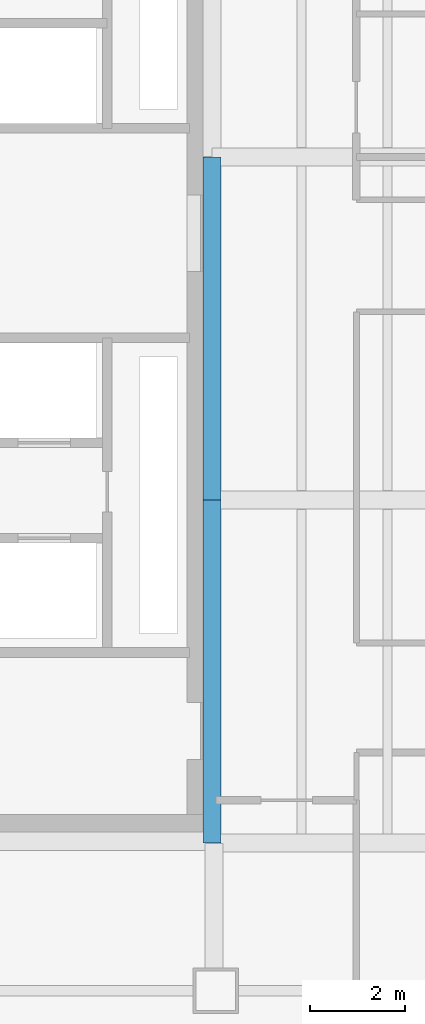
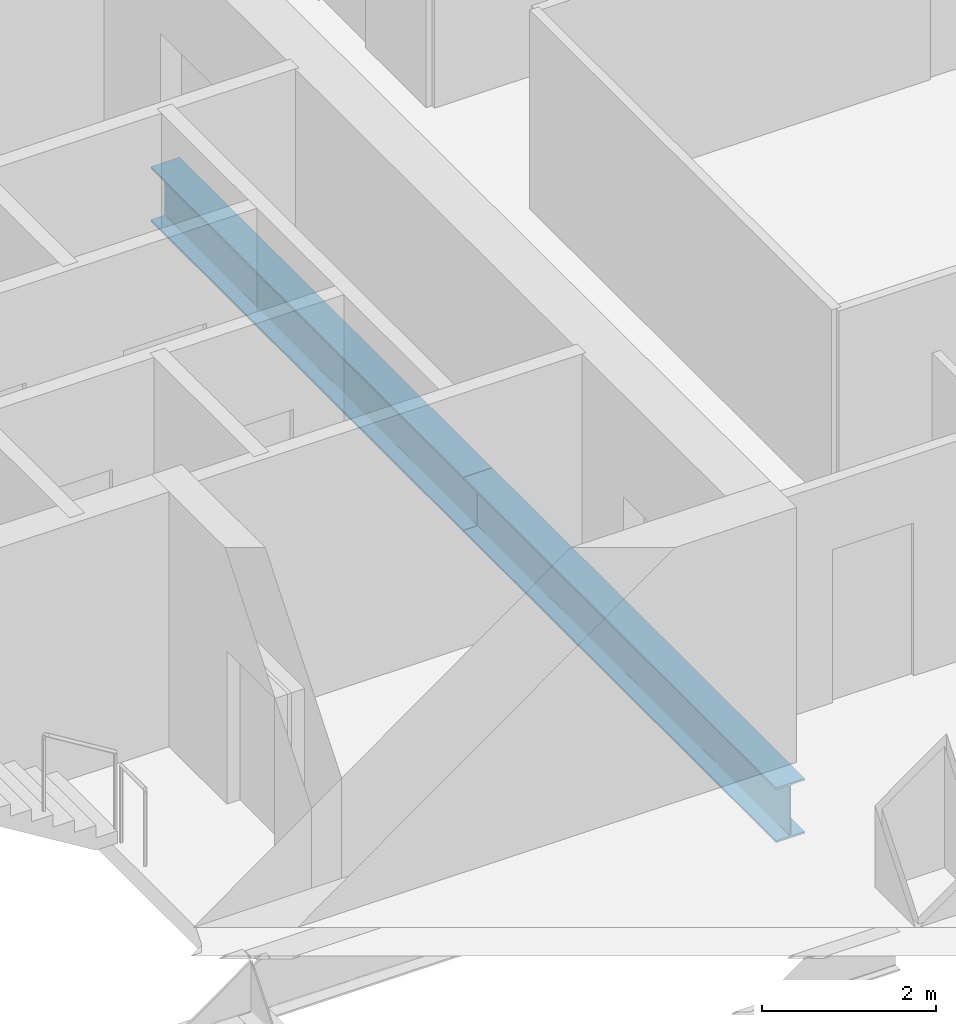
# One storey, part 3 of 23: 2 beams.
"""IFC4 building model written with IfcOpenShell, lengths in metres."""

from ifc_helpers import new_model, si_unit, direction, frame, origin, origin_2d, place, context, subcontext, project, spatial, i_section, extrude, material, material_profile, profile_set, type_object, element, save


model = new_model("IFC4")

# Units and contexts
model_context = context("Model", 3, precision=1e-05, world=origin(), true_north=direction((0.0, 1.0)))
body_context = subcontext(model_context, "Body", "Model", "MODEL_VIEW")
ifc_project = project(units=[si_unit("LENGTHUNIT", "METRE"), si_unit("AREAUNIT", "SQUARE_METRE"), si_unit("VOLUMEUNIT", "CUBIC_METRE"), si_unit("PLANEANGLEUNIT", "RADIAN"), si_unit("MASSUNIT", "GRAM", prefix="KILO")], contexts=[model_context])

# Site, building, storey
site_placement = place(None, origin())
site = spatial("IfcSite", under=ifc_project, at=site_placement, CompositionType="ELEMENT")
building_placement = place(site_placement, origin())
building = spatial("IfcBuilding", under=site, at=building_placement, Name="Cobrela Telecom Tower", CompositionType="ELEMENT")
storey_placement = place(building_placement, frame((0.0, 0.0, 102.199951171875)))
storey = spatial("IfcBuildingStorey", under=building, at=storey_placement, Name="L25", CompositionType="ELEMENT", Elevation=102.199951171875)

# Beams
ifc_material = material(Name="Steel ASTM A992 Grade 50", Category="steel")
ifc_material_profile = material_profile(ifc_material, i_section(OverallWidth=0.381103515625, OverallDepth=0.77197265625, WebThickness=0.0166015625, FlangeThickness=0.027099609375, FilletRadius=0.01904296875, at=origin_2d()), Name="W30X173")
ifc_profile_set = profile_set([ifc_material_profile], Name="Steel ASTM A992 Grade 50")
beam_type = type_object("IfcBeamType", Name="BM-GIRD-04", PredefinedType="USERDEFINED", material=ifc_profile_set)
for number, where, z_axis, x_axis, name in (
    (1, (14.320068359375, 7.205078125, -0.656005859375), (0.0, 1.0, 0.0), (-1.0, 0.0, 0.0), "L25 Primary Girder Y34"),
    (2, (14.320068359375, 14.405029296875, -0.656005859375), (0.0, 1.0, 0.0), (-1.0, 0.0, 0.0), "L25 Primary Girder Y35"),
):
    element("IfcBeam", number, at=place(storey_placement, frame(where, z_axis=z_axis, x_axis=x_axis)), inside=storey, type_object=beam_type, Name=name, ObjectType="GIRDER", PredefinedType="USERDEFINED", context=body_context, shape_type="SweptSolid", body=[
        extrude(i_section(OverallWidth=0.381103515625, OverallDepth=0.77197265625, WebThickness=0.0166015625, FlangeThickness=0.027099609375, FilletRadius=0.01904296875, at=origin_2d()), origin(), (0.0, 0.0, 1.0), 7.18994140625),
    ])

save(model, "model.ifc")
